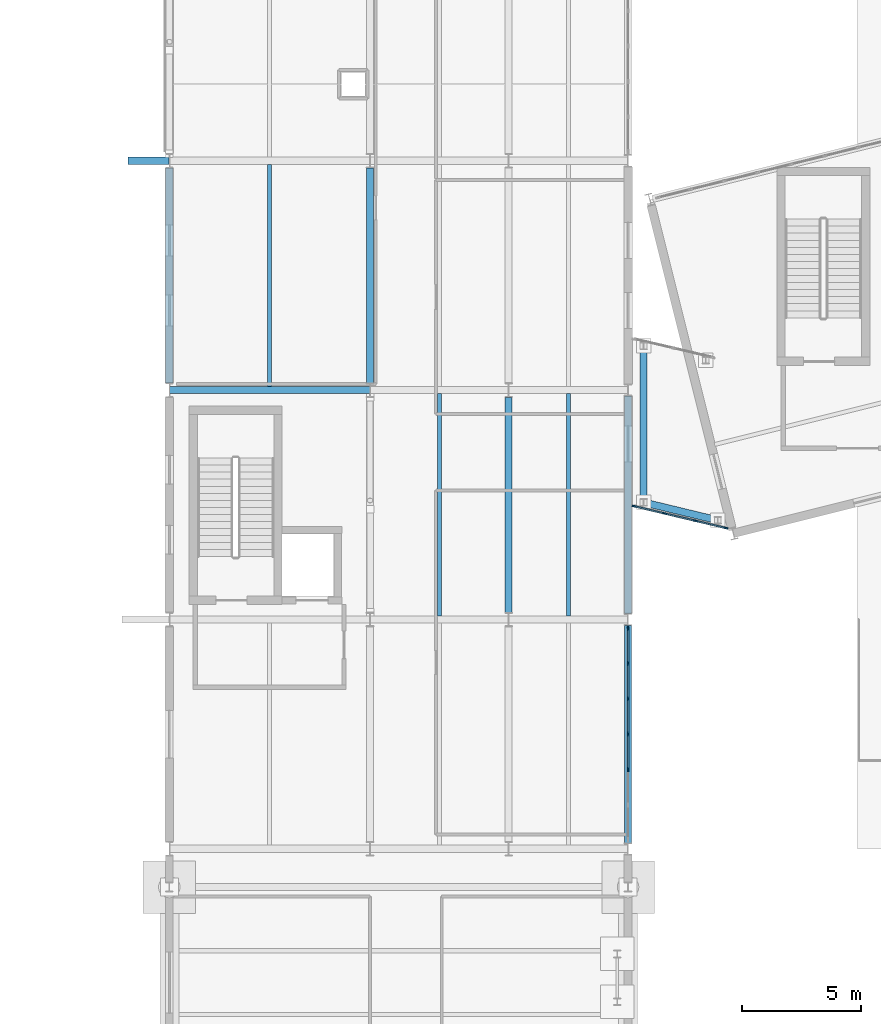
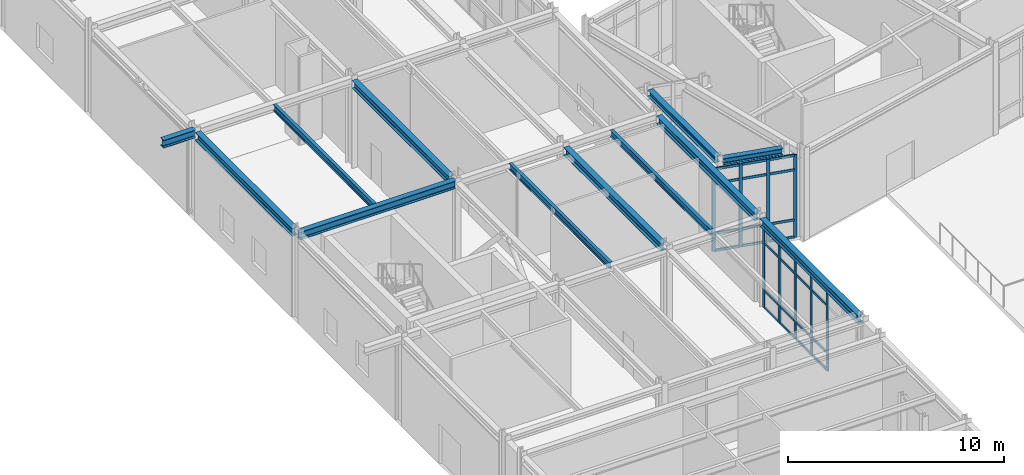
# One storey, part 23 of 109: 37 members, 12 beams, 2 elements without a shape of their own.
"""IFC4 building model written with IfcOpenShell, lengths in metres."""

import ifcopenshell
import ifcopenshell.guid

model = None  # the IFC model being written
_history = None  # IfcOwnerHistory: only IFC2X3 demands one
_inside = {}  # id of a spatial element -> (the spatial element, [elements in it])
_under = {}  # id of a project, library or spatial element -> (it, [spatial elements below it])
_declared = {}  # id of a project -> (the project, [libraries it declares])
_typed = {}  # id of a type object -> (the type object, [elements of that type])
_made_of = {}  # id of a material, layer set ... -> (it, [elements and type objects made of it])


def new_model(schema):
    """Start an empty IFC model of exactly this schema.

    Asked for "IFC4X3", IfcOpenShell would pick the latest addendum, in which some entities
    have other attributes; the version numbers below select the first issue.
    IFC2X3 requires an IfcOwnerHistory on every rooted entity: one is made here for all.
    """
    global model, _history
    if schema == "IFC4X3":
        model = ifcopenshell.file(schema_version=(4, 3, 0, 0))
    else:
        model = ifcopenshell.file(schema=schema)
    _inside.clear()
    _under.clear()
    _declared.clear()
    _typed.clear()
    _made_of.clear()
    _history = None
    if model.schema == "IFC2X3":
        org = make("IfcOrganization", Name="unknown")
        user = make(
            "IfcPersonAndOrganization",
            ThePerson=make("IfcPerson", FamilyName="unknown"),
            TheOrganization=org,
        )
        app = make(
            "IfcApplication",
            ApplicationDeveloper=org,
            Version="unknown",
            ApplicationFullName="unknown",
            ApplicationIdentifier="unknown",
        )
        _history = make(
            "IfcOwnerHistory",
            OwningUser=user,
            OwningApplication=app,
            ChangeAction="ADDED",
            CreationDate=0,
        )
    return model


def make(cls, **values):
    """One entity of the class cls with the attributes given. An attribute that is None is left unset."""
    return model.create_entity(
        cls, **{name: value for name, value in values.items() if value is not None}
    )


def rooted(cls, **values):
    """An entity with a GlobalId (a new one), such as an element, a storey or a relation."""
    return make(cls, GlobalId=ifcopenshell.guid.new(), OwnerHistory=_history, **values)


def si_unit(unit_type, name, prefix=None):
    """IfcSIUnit, for example si_unit("LENGTHUNIT", "METRE", prefix="MILLI")."""
    return make("IfcSIUnit", UnitType=unit_type, Prefix=prefix, Name=name)


def assignment(units):
    """IfcUnitAssignment: the units of a project."""
    return None if units is None else make("IfcUnitAssignment", Units=units)


def point(xyz):
    """IfcCartesianPoint."""
    return None if xyz is None else make("IfcCartesianPoint", Coordinates=xyz)


def direction(xyz):
    """IfcDirection."""
    return None if xyz is None else make("IfcDirection", DirectionRatios=xyz)


def frame(location, z_axis=None, x_axis=None):
    """IfcAxis2Placement3D, a coordinate frame: its origin and axes. An axis left out is left unset."""
    return make(
        "IfcAxis2Placement3D",
        Location=point(location),
        Axis=direction(z_axis),
        RefDirection=direction(x_axis),
    )


def frame_2d(location, x_axis=None):
    """IfcAxis2Placement2D, a coordinate frame in the plane: its origin and x axis."""
    return make(
        "IfcAxis2Placement2D", Location=point(location), RefDirection=direction(x_axis)
    )


def origin():
    """The frame at (0, 0, 0) with its axes left unset."""
    return frame((0.0, 0.0, 0.0))


def origin_2d():
    """The frame at (0, 0) in the plane with its x axis left unset."""
    return frame_2d((0.0, 0.0))


def place(relative_to, where):
    """IfcLocalPlacement: puts the frame where relative to a parent placement (None: the world)."""
    return make(
        "IfcLocalPlacement", PlacementRelTo=relative_to, RelativePlacement=where
    )


def context(
    kind, dimensions, precision=None, world=None, true_north=None, identifier=None
):
    """IfcGeometricRepresentationContext, for example the 3D "Model" context."""
    return make(
        "IfcGeometricRepresentationContext",
        ContextIdentifier=identifier,
        ContextType=kind,
        CoordinateSpaceDimension=dimensions,
        Precision=precision,
        WorldCoordinateSystem=world,
        TrueNorth=true_north,
    )


def subcontext(parent, identifier, kind, view, scale=None):
    """IfcGeometricRepresentationSubContext, for example "Body" below "Model"."""
    return make(
        "IfcGeometricRepresentationSubContext",
        ContextIdentifier=identifier,
        ContextType=kind,
        ParentContext=parent,
        TargetScale=scale,
        TargetView=view,
    )


def project(units=None, contexts=None):
    """IfcProject with its units and contexts."""
    return rooted(
        "IfcProject",
        Name="project",
        RepresentationContexts=contexts,
        UnitsInContext=assignment(units),
    )


def spatial(cls, under=None, at=None, **own):
    """A site, building, storey or space (cls), placed at a placement, below another one or the project."""
    s = rooted(cls, ObjectPlacement=at, **own)
    if under is not None:
        _under.setdefault(under.id(), (under, []))[1].append(s)
    return s


def profile(cls, at=None, kind="AREA", **sizes):
    """A parametric profile (cls). Its sizes go by their IFC names, for example OverallWidth=200.0."""
    return make(cls, ProfileType=kind, Position=at, **sizes)


def rectangle(**sizes):
    """IfcRectangleProfileDef."""
    return profile("IfcRectangleProfileDef", **sizes)


def i_section(**sizes):
    """IfcIShapeProfileDef."""
    return profile("IfcIShapeProfileDef", **sizes)


def extrude(swept, where, along, depth):
    """IfcExtrudedAreaSolid: the profile swept, set in the frame where, extruded along a direction by depth."""
    return make(
        "IfcExtrudedAreaSolid",
        SweptArea=swept,
        Position=where,
        ExtrudedDirection=direction(along),
        Depth=depth,
    )


def shape(context_of_items, identifier, shape_type, items):
    """IfcShapeRepresentation: the items that make up one representation, for example the "Body"."""
    return make(
        "IfcShapeRepresentation",
        ContextOfItems=context_of_items,
        RepresentationIdentifier=identifier,
        RepresentationType=shape_type,
        Items=items,
    )


def material(Name=None, Category=None):
    """IfcMaterial."""
    return make("IfcMaterial", Name=Name, Category=Category)


def layer(
    of_material, thickness, ventilated=None, Name=None, Category=None, Priority=None
):
    """IfcMaterialLayer: one layer of a wall or slab, of a material (None: an air gap)."""
    return make(
        "IfcMaterialLayer",
        Material=of_material,
        LayerThickness=thickness,
        IsVentilated=ventilated,
        Name=Name,
        Category=Category,
        Priority=Priority,
    )


def layer_set(layers, Name=None):
    """IfcMaterialLayerSet."""
    return make("IfcMaterialLayerSet", MaterialLayers=layers, LayerSetName=Name)


def material_profile(
    of_material, cross_section, Name=None, Category=None, Priority=None
):
    """IfcMaterialProfile: a cross section and its material."""
    return make(
        "IfcMaterialProfile",
        Name=Name,
        Material=of_material,
        Profile=cross_section,
        Priority=Priority,
        Category=Category,
    )


def profile_set(profiles, Name=None, composite=None):
    """IfcMaterialProfileSet."""
    return make(
        "IfcMaterialProfileSet",
        Name=Name,
        MaterialProfiles=profiles,
        CompositeProfile=composite,
    )


def made_of(thing, what):
    """Note that an element or type object is made of a material, layer set ...; save() writes the relation."""
    if what is not None:
        _made_of.setdefault(what.id(), (what, []))[1].append(thing)
    return thing


def type_object(cls, material=None, **own):
    """A type object (cls), such as IfcWallType, which elements share."""
    return made_of(rooted(cls, **own), material)


def element(
    cls,
    number,
    at=None,
    inside=None,
    cuts=None,
    type_object=None,
    material=None,
    context=None,
    identifier="Body",
    shape_type=None,
    held_by="IfcProductDefinitionShape",
    body=None,
    shapes=None,
    **own,
):
    """One element of the class cls, such as IfcWall. Its Tag is "e" and its number.

    at: its placement. inside: the storey or other place that contains it. cuts: it is an
    opening in that element (IfcRelVoidsElement). A single representation is given by context,
    identifier, shape_type and body (its items); several are given by shapes. held_by: the class
    of the entity that holds the representations. save() writes the other relations.
    """
    e = rooted(cls, Tag="e%d" % number, ObjectPlacement=at, **own)
    if body is not None:
        shapes = [shape(context, identifier, shape_type, body)]
    if shapes is not None:
        e.Representation = make(held_by, Representations=shapes)
    if inside is not None:
        _inside.setdefault(inside.id(), (inside, []))[1].append(e)
    if cuts is not None:
        rooted(
            "IfcRelVoidsElement", RelatingBuildingElement=cuts, RelatedOpeningElement=e
        )
    if type_object is not None:
        _typed.setdefault(type_object.id(), (type_object, []))[1].append(e)
    return made_of(e, material)


def aggregate(whole, parts):
    """IfcRelAggregates: a whole, such as a stair, and the parts it consists of."""
    return rooted("IfcRelAggregates", RelatingObject=whole, RelatedObjects=parts)


def save(model, path):
    """Write the relations noted so far, then the file.

    IfcRelAggregates (storeys below a building ...), IfcRelContainedInSpatialStructure (elements
    in a storey), IfcRelDefinesByType, IfcRelAssociatesMaterial and IfcRelDeclares: one each for
    every whole, place, type object, material and project.
    """
    for whole, parts in _under.values():
        aggregate(whole, parts)
    for where, things in _inside.values():
        rooted(
            "IfcRelContainedInSpatialStructure",
            RelatedElements=things,
            RelatingStructure=where,
        )
    for kind, things in _typed.values():
        rooted("IfcRelDefinesByType", RelatedObjects=things, RelatingType=kind)
    for what, things in _made_of.values():
        rooted("IfcRelAssociatesMaterial", RelatedObjects=things, RelatingMaterial=what)
    for by, libraries in _declared.values():
        rooted("IfcRelDeclares", RelatingContext=by, RelatedDefinitions=libraries)
    model.write(path)


model = new_model("IFC4")

# Units and contexts
model_context = context("Model", 3, precision=1e-05, world=origin(), true_north=direction((0.0, 1.0)))
body_context = subcontext(model_context, "Body", "Model", "MODEL_VIEW")
ifc_project = project(units=[si_unit("LENGTHUNIT", "METRE"), si_unit("AREAUNIT", "SQUARE_METRE"), si_unit("VOLUMEUNIT", "CUBIC_METRE"), si_unit("PLANEANGLEUNIT", "RADIAN"), si_unit("MASSUNIT", "GRAM", prefix="KILO")], contexts=[model_context])

# Site, building, storey
site_placement = place(None, origin())
site = spatial("IfcSite", under=ifc_project, at=site_placement, CompositionType="ELEMENT")
building_placement = place(site_placement, origin())
building = spatial("IfcBuilding", under=site, at=building_placement, Name="Nordkorset Police Headquarters", CompositionType="ELEMENT")
storey_placement = place(building_placement, origin())
storey = spatial("IfcBuildingStorey", under=building, at=storey_placement, Name="L00", CompositionType="ELEMENT", Elevation=0.0)

# Beams
ifc_material_1 = material(Name="Steel S355J2", Category="steel")
ifc_material_profile_1 = material_profile(ifc_material_1, i_section(OverallWidth=0.169921875, OverallDepth=0.360107421875, WebThickness=0.008056640625, FlangeThickness=0.0126953125, FilletRadius=0.01806640625, at=origin_2d()), Name="IPE 360")
ifc_profile_set_1 = profile_set([ifc_material_profile_1], Name="Steel S355J2")
beam_type_1 = type_object("IfcBeamType", Name="Beam_IPE_360", PredefinedType="BEAM", material=ifc_profile_set_1)
for number, where, z_axis, x_axis, name in (
    (1, (4.199951171875, 48.14990234375, 4.820068359375), (0.0, 1.0, 0.0), (-1.0, 0.0, 0.0), "Composite Floor Beam V3 L00 0-2-1"),
    (2, (11.300048828125, 38.550048828125, 4.820068359375), (0.0, 1.0, 0.0), (-1.0, 0.0, 0.0), "Composite Floor Beam V3 L00 1-1-1"),
    (3, (16.699951171875, 38.550048828125, 4.820068359375), (0.0, 1.0, 0.0), (-1.0, 0.0, 0.0), "Composite Floor Beam V3 L00 2-1-1"),
):
    element("IfcBeam", number, at=place(storey_placement, frame(where, z_axis=z_axis, x_axis=x_axis)), inside=storey, type_object=beam_type_1, Name=name, PredefinedType="BEAM", context=body_context, shape_type="SweptSolid", body=[
        extrude(i_section(OverallWidth=0.169921875, OverallDepth=0.360107421875, WebThickness=0.008056640625, FlangeThickness=0.0126953125, FilletRadius=0.01806640625, at=origin_2d()), origin(), (0.0, 0.0, 1.0), 9.300048828125),
    ])

# Curtain wall, members
ifc_material_2 = material(Name="Aluminium alloy AW-6060", Category="aluminium")
ifc_layer_1 = layer(ifc_material_2, 0.179931640625, Name="Aluminium alloy AW-6060")
ifc_layer_set_1 = layer_set([ifc_layer_1], Name="Aluminium alloy AW-6060")
curtain_wall_type_1 = type_object("IfcCurtainWallType", Name="CW_Unit_888x454", PredefinedType="USERDEFINED", material=ifc_layer_set_1)
curtain_wall_1_placement = place(storey_placement, origin())
curtain_wall_1 = element("IfcCurtainWall", 4, at=curtain_wall_1_placement, inside=storey, type_object=curtain_wall_type_1, Name="Unitised Curtain Wall L00 V3E-0", ObjectType="UNITISED CURTAIN WALL", PredefinedType="USERDEFINED")
ifc_material_3 = material(Name="Aluminium alloy AW-6060", Category="aluminium")
ifc_material_profile_2 = material_profile(ifc_material_3, rectangle(XDim=0.06494140625, YDim=0.179931640625, at=origin_2d()), Name="ALU MULL 65x180")
ifc_profile_set_2 = profile_set([ifc_material_profile_2], Name="Aluminium alloy AW-6060")
member_type_1 = type_object("IfcMemberType", Name="CW_Mullion_65x180", PredefinedType="MULLION", material=ifc_profile_set_2)
member_1_placement = place(storey_placement, frame((19.199951171875, 32.1201171875, 0.0), z_axis=(0.0, 0.0, 1.0), x_axis=(-1.0, 0.0, 0.0)))
member_1 = element("IfcMember", 5, at=member_1_placement, type_object=member_type_1, Name="CW-82 mullion 3", PredefinedType="MULLION", context=body_context, shape_type="SweptSolid", body=[
    extrude(rectangle(XDim=0.06494140625, YDim=0.179931640625, at=origin_2d()), origin(), (0.0, 0.0, 1.0), 4.5400390625),
])
member_2_placement = place(storey_placement, frame((19.199951171875, 33.60009765625, 0.0), z_axis=(0.0, 0.0, 1.0), x_axis=(-1.0, 0.0, 0.0)))
member_2 = element("IfcMember", 6, at=member_2_placement, type_object=member_type_1, Name="CW-82 mullion 4", PredefinedType="MULLION", context=body_context, shape_type="SweptSolid", body=[
    extrude(rectangle(XDim=0.06494140625, YDim=0.179931640625, at=origin_2d()), origin(), (0.0, 0.0, 1.0), 4.5400390625),
])
member_3_placement = place(storey_placement, frame((19.199951171875, 35.080078125, 0.0), z_axis=(0.0, 0.0, 1.0), x_axis=(-1.0, 0.0, 0.0)))
member_3 = element("IfcMember", 7, at=member_3_placement, type_object=member_type_1, Name="CW-82 mullion 5", PredefinedType="MULLION", context=body_context, shape_type="SweptSolid", body=[
    extrude(rectangle(XDim=0.06494140625, YDim=0.179931640625, at=origin_2d()), origin(), (0.0, 0.0, 1.0), 4.5400390625),
])
member_4_placement = place(storey_placement, frame((19.199951171875, 36.56005859375, 0.0), z_axis=(0.0, 0.0, 1.0), x_axis=(-1.0, 0.0, 0.0)))
member_4 = element("IfcMember", 8, at=member_4_placement, type_object=member_type_1, Name="CW-82 mullion 6", PredefinedType="MULLION", context=body_context, shape_type="SweptSolid", body=[
    extrude(rectangle(XDim=0.06494140625, YDim=0.179931640625, at=origin_2d()), origin(), (0.0, 0.0, 1.0), 4.5400390625),
])
member_5_placement = place(storey_placement, frame((19.199951171875, 38.007568359375, 0.0), z_axis=(0.0, 0.0, 1.0), x_axis=(-1.0, 0.0, 0.0)))
member_5 = element("IfcMember", 9, at=member_5_placement, type_object=member_type_1, Name="CW-82 mullion 7", PredefinedType="MULLION", context=body_context, shape_type="SweptSolid", body=[
    extrude(rectangle(XDim=0.06494140625, YDim=0.179931640625, at=origin_2d()), origin(), (0.0, 0.0, 1.0), 4.5400390625),
])

ifc_material_4 = material(Name="Aluminium alloy AW-6060", Category="aluminium")
ifc_layer_2 = layer(ifc_material_4, 0.179931640625, Name="Aluminium alloy AW-6060")
ifc_layer_set_2 = layer_set([ifc_layer_2], Name="Aluminium alloy AW-6060")
curtain_wall_type_2 = type_object("IfcCurtainWallType", Name="CW_Unit_401x468", PredefinedType="USERDEFINED", material=ifc_layer_set_2)
curtain_wall_2_placement = place(storey_placement, origin())
curtain_wall_2 = element("IfcCurtainWall", 10, at=curtain_wall_2_placement, inside=storey, type_object=curtain_wall_type_2, Name="Unitised Curtain Wall L00 BRGW-S", ObjectType="UNITISED CURTAIN WALL", PredefinedType="USERDEFINED")
member_6_placement = place(storey_placement, frame((19.456787109375, 43.140869140625, 0.0), z_axis=(0.0, 0.0, 1.0), x_axis=(0.231206329825, 0.972904739966, 0.0)))
member_6 = element("IfcMember", 11, at=member_6_placement, type_object=member_type_1, Name="CW-08 mullion 1", PredefinedType="MULLION", context=body_context, shape_type="SweptSolid", body=[
    extrude(rectangle(XDim=0.06494140625, YDim=0.179931640625, at=origin_2d()), origin(), (0.0, 0.0, 1.0), 4.68505859375),
])
member_7_placement = place(storey_placement, frame((20.72509765625, 42.83935546875, 0.0), z_axis=(0.0, 0.0, 1.0), x_axis=(0.231206329825, 0.972904739966, 0.0)))
member_7 = element("IfcMember", 12, at=member_7_placement, type_object=member_type_1, Name="CW-08 mullion 2", PredefinedType="MULLION", context=body_context, shape_type="SweptSolid", body=[
    extrude(rectangle(XDim=0.06494140625, YDim=0.179931640625, at=origin_2d()), origin(), (0.0, 0.0, 1.0), 4.68505859375),
])
member_8_placement = place(storey_placement, frame((22.02490234375, 42.530517578125, 0.0), z_axis=(0.0, 0.0, 1.0), x_axis=(0.231206329825, 0.972904739966, 0.0)))
member_8 = element("IfcMember", 13, at=member_8_placement, type_object=member_type_1, Name="CW-08 mullion 3", PredefinedType="MULLION", context=body_context, shape_type="SweptSolid", body=[
    extrude(rectangle(XDim=0.06494140625, YDim=0.179931640625, at=origin_2d()), origin(), (0.0, 0.0, 1.0), 4.68505859375),
])
member_9_placement = place(storey_placement, frame((23.293212890625, 42.229248046875, 0.0), z_axis=(0.0, 0.0, 1.0), x_axis=(0.231206329825, 0.972904739966, 0.0)))
member_9 = element("IfcMember", 14, at=member_9_placement, type_object=member_type_1, Name="CW-08 mullion 4", PredefinedType="MULLION", context=body_context, shape_type="SweptSolid", body=[
    extrude(rectangle(XDim=0.06494140625, YDim=0.179931640625, at=origin_2d()), origin(), (0.0, 0.0, 1.0), 4.68505859375),
])

# Member
ifc_material_5 = material(Name="Aluminium alloy AW-6060", Category="aluminium")
ifc_material_profile_3 = material_profile(ifc_material_5, rectangle(XDim=0.06494140625, YDim=0.139892578125, at=origin_2d()), Name="ALU TRAN 65x140")
ifc_profile_set_3 = profile_set([ifc_material_profile_3], Name="Aluminium alloy AW-6060")
member_type_2 = type_object("IfcMemberType", Name="CW_Transom_65x140", PredefinedType="USERDEFINED", material=ifc_profile_set_3)
member_10_placement = place(storey_placement, frame((19.199951171875, 32.152587890625, 0.032470703125), z_axis=(0.0, 1.0, 0.0), x_axis=(-1.0, 0.0, 0.0)))
member_10 = element("IfcMember", 15, at=member_10_placement, type_object=member_type_2, Name="CW-82 transom 3.1", ObjectType="TRANSOM", PredefinedType="USERDEFINED", context=body_context, shape_type="SweptSolid", body=[
    extrude(rectangle(XDim=0.06494140625, YDim=0.139892578125, at=origin_2d()), origin(), (0.0, 0.0, 1.0), 1.414794921875),
])

member_11_placement = place(storey_placement, frame((19.199951171875, 32.152587890625, 1.0), z_axis=(0.0, 1.0, 0.0), x_axis=(-1.0, 0.0, 0.0)))
member_11 = element("IfcMember", 16, at=member_11_placement, type_object=member_type_2, Name="CW-82 transom 3.2", ObjectType="TRANSOM", PredefinedType="USERDEFINED", context=body_context, shape_type="SweptSolid", body=[
    extrude(rectangle(XDim=0.06494140625, YDim=0.139892578125, at=origin_2d()), origin(), (0.0, 0.0, 1.0), 1.414794921875),
])

member_12_placement = place(storey_placement, frame((19.199951171875, 32.152587890625, 3.68994140625), z_axis=(0.0, 1.0, 0.0), x_axis=(-1.0, 0.0, 0.0)))
member_12 = element("IfcMember", 17, at=member_12_placement, type_object=member_type_2, Name="CW-82 transom 3.3", ObjectType="TRANSOM", PredefinedType="USERDEFINED", context=body_context, shape_type="SweptSolid", body=[
    extrude(rectangle(XDim=0.06494140625, YDim=0.139892578125, at=origin_2d()), origin(), (0.0, 0.0, 1.0), 1.414794921875),
])

member_13_placement = place(storey_placement, frame((19.199951171875, 32.152587890625, 4.507568359375), z_axis=(0.0, 1.0, 0.0), x_axis=(-1.0, 0.0, 0.0)))
member_13 = element("IfcMember", 18, at=member_13_placement, type_object=member_type_2, Name="CW-82 transom 3.4", ObjectType="TRANSOM", PredefinedType="USERDEFINED", context=body_context, shape_type="SweptSolid", body=[
    extrude(rectangle(XDim=0.06494140625, YDim=0.139892578125, at=origin_2d()), origin(), (0.0, 0.0, 1.0), 1.414794921875),
])

member_14_placement = place(storey_placement, frame((19.199951171875, 33.632568359375, 0.032470703125), z_axis=(0.0, 1.0, 0.0), x_axis=(-1.0, 0.0, 0.0)))
member_14 = element("IfcMember", 19, at=member_14_placement, type_object=member_type_2, Name="CW-82 transom 4.1", ObjectType="TRANSOM", PredefinedType="USERDEFINED", context=body_context, shape_type="SweptSolid", body=[
    extrude(rectangle(XDim=0.06494140625, YDim=0.139892578125, at=origin_2d()), origin(), (0.0, 0.0, 1.0), 1.4150390625),
])

member_15_placement = place(storey_placement, frame((19.199951171875, 33.632568359375, 1.0), z_axis=(0.0, 1.0, 0.0), x_axis=(-1.0, 0.0, 0.0)))
member_15 = element("IfcMember", 20, at=member_15_placement, type_object=member_type_2, Name="CW-82 transom 4.2", ObjectType="TRANSOM", PredefinedType="USERDEFINED", context=body_context, shape_type="SweptSolid", body=[
    extrude(rectangle(XDim=0.06494140625, YDim=0.139892578125, at=origin_2d()), origin(), (0.0, 0.0, 1.0), 1.4150390625),
])

member_16_placement = place(storey_placement, frame((19.199951171875, 33.632568359375, 3.68994140625), z_axis=(0.0, 1.0, 0.0), x_axis=(-1.0, 0.0, 0.0)))
member_16 = element("IfcMember", 21, at=member_16_placement, type_object=member_type_2, Name="CW-82 transom 4.3", ObjectType="TRANSOM", PredefinedType="USERDEFINED", context=body_context, shape_type="SweptSolid", body=[
    extrude(rectangle(XDim=0.06494140625, YDim=0.139892578125, at=origin_2d()), origin(), (0.0, 0.0, 1.0), 1.4150390625),
])

member_17_placement = place(storey_placement, frame((19.199951171875, 33.632568359375, 4.507568359375), z_axis=(0.0, 1.0, 0.0), x_axis=(-1.0, 0.0, 0.0)))
member_17 = element("IfcMember", 22, at=member_17_placement, type_object=member_type_2, Name="CW-82 transom 4.4", ObjectType="TRANSOM", PredefinedType="USERDEFINED", context=body_context, shape_type="SweptSolid", body=[
    extrude(rectangle(XDim=0.06494140625, YDim=0.139892578125, at=origin_2d()), origin(), (0.0, 0.0, 1.0), 1.4150390625),
])

member_18_placement = place(storey_placement, frame((19.199951171875, 35.112548828125, 0.032470703125), z_axis=(0.0, 1.0, 0.0), x_axis=(-1.0, 0.0, 0.0)))
member_18 = element("IfcMember", 23, at=member_18_placement, type_object=member_type_2, Name="CW-82 transom 5.1", ObjectType="TRANSOM", PredefinedType="USERDEFINED", context=body_context, shape_type="SweptSolid", body=[
    extrude(rectangle(XDim=0.06494140625, YDim=0.139892578125, at=origin_2d()), origin(), (0.0, 0.0, 1.0), 1.4150390625),
])

member_19_placement = place(storey_placement, frame((19.199951171875, 35.112548828125, 1.0), z_axis=(0.0, 1.0, 0.0), x_axis=(-1.0, 0.0, 0.0)))
member_19 = element("IfcMember", 24, at=member_19_placement, type_object=member_type_2, Name="CW-82 transom 5.2", ObjectType="TRANSOM", PredefinedType="USERDEFINED", context=body_context, shape_type="SweptSolid", body=[
    extrude(rectangle(XDim=0.06494140625, YDim=0.139892578125, at=origin_2d()), origin(), (0.0, 0.0, 1.0), 1.4150390625),
])

member_20_placement = place(storey_placement, frame((19.199951171875, 35.112548828125, 3.68994140625), z_axis=(0.0, 1.0, 0.0), x_axis=(-1.0, 0.0, 0.0)))
member_20 = element("IfcMember", 25, at=member_20_placement, type_object=member_type_2, Name="CW-82 transom 5.3", ObjectType="TRANSOM", PredefinedType="USERDEFINED", context=body_context, shape_type="SweptSolid", body=[
    extrude(rectangle(XDim=0.06494140625, YDim=0.139892578125, at=origin_2d()), origin(), (0.0, 0.0, 1.0), 1.4150390625),
])

member_21_placement = place(storey_placement, frame((19.199951171875, 35.112548828125, 4.507568359375), z_axis=(0.0, 1.0, 0.0), x_axis=(-1.0, 0.0, 0.0)))
member_21 = element("IfcMember", 26, at=member_21_placement, type_object=member_type_2, Name="CW-82 transom 5.4", ObjectType="TRANSOM", PredefinedType="USERDEFINED", context=body_context, shape_type="SweptSolid", body=[
    extrude(rectangle(XDim=0.06494140625, YDim=0.139892578125, at=origin_2d()), origin(), (0.0, 0.0, 1.0), 1.4150390625),
])

member_22_placement = place(storey_placement, frame((19.199951171875, 36.592529296875, 0.032470703125), z_axis=(0.0, 1.0, 0.0), x_axis=(-1.0, 0.0, 0.0)))
member_22 = element("IfcMember", 27, at=member_22_placement, type_object=member_type_2, Name="CW-82 transom 6.1", ObjectType="TRANSOM", PredefinedType="USERDEFINED", context=body_context, shape_type="SweptSolid", body=[
    extrude(rectangle(XDim=0.06494140625, YDim=0.139892578125, at=origin_2d()), origin(), (0.0, 0.0, 1.0), 1.382568359375),
])

member_23_placement = place(storey_placement, frame((19.199951171875, 36.592529296875, 1.0), z_axis=(0.0, 1.0, 0.0), x_axis=(-1.0, 0.0, 0.0)))
member_23 = element("IfcMember", 28, at=member_23_placement, type_object=member_type_2, Name="CW-82 transom 6.2", ObjectType="TRANSOM", PredefinedType="USERDEFINED", context=body_context, shape_type="SweptSolid", body=[
    extrude(rectangle(XDim=0.06494140625, YDim=0.139892578125, at=origin_2d()), origin(), (0.0, 0.0, 1.0), 1.382568359375),
])

member_24_placement = place(storey_placement, frame((19.199951171875, 36.592529296875, 3.68994140625), z_axis=(0.0, 1.0, 0.0), x_axis=(-1.0, 0.0, 0.0)))
member_24 = element("IfcMember", 29, at=member_24_placement, type_object=member_type_2, Name="CW-82 transom 6.3", ObjectType="TRANSOM", PredefinedType="USERDEFINED", context=body_context, shape_type="SweptSolid", body=[
    extrude(rectangle(XDim=0.06494140625, YDim=0.139892578125, at=origin_2d()), origin(), (0.0, 0.0, 1.0), 1.382568359375),
])

member_25_placement = place(storey_placement, frame((19.199951171875, 36.592529296875, 4.507568359375), z_axis=(0.0, 1.0, 0.0), x_axis=(-1.0, 0.0, 0.0)))
member_25 = element("IfcMember", 30, at=member_25_placement, type_object=member_type_2, Name="CW-82 transom 6.4", ObjectType="TRANSOM", PredefinedType="USERDEFINED", context=body_context, shape_type="SweptSolid", body=[
    extrude(rectangle(XDim=0.06494140625, YDim=0.139892578125, at=origin_2d()), origin(), (0.0, 0.0, 1.0), 1.382568359375),
])

aggregate(curtain_wall_1, [member_1, member_2, member_3, member_4, member_5, member_10, member_11, member_12, member_13, member_14, member_15, member_16, member_17, member_18, member_19, member_20, member_21, member_22, member_23, member_24, member_25])

member_26_placement = place(storey_placement, frame((19.48828125, 43.13330078125, 0.032470703125), z_axis=(0.972905523066, -0.231203034554, 0.0), x_axis=(0.231203034554, 0.972905523066, 0.0)))
member_26 = element("IfcMember", 31, at=member_26_placement, type_object=member_type_2, Name="CW-08 transom 1.1", ObjectType="TRANSOM", PredefinedType="USERDEFINED", context=body_context, shape_type="SweptSolid", body=[
    extrude(rectangle(XDim=0.06494140625, YDim=0.139892578125, at=origin_2d()), origin(), (0.0, 0.0, 1.0), 1.238525390625),
])

member_27_placement = place(storey_placement, frame((19.48828125, 43.13330078125, 1.0), z_axis=(0.972905523066, -0.231203034554, 0.0), x_axis=(0.231203034554, 0.972905523066, 0.0)))
member_27 = element("IfcMember", 32, at=member_27_placement, type_object=member_type_2, Name="CW-08 transom 1.2", ObjectType="TRANSOM", PredefinedType="USERDEFINED", context=body_context, shape_type="SweptSolid", body=[
    extrude(rectangle(XDim=0.06494140625, YDim=0.139892578125, at=origin_2d()), origin(), (0.0, 0.0, 1.0), 1.238525390625),
])

member_28_placement = place(storey_placement, frame((19.48828125, 43.13330078125, 3.8349609375), z_axis=(0.972905523066, -0.231203034554, 0.0), x_axis=(0.231203034554, 0.972905523066, 0.0)))
member_28 = element("IfcMember", 33, at=member_28_placement, type_object=member_type_2, Name="CW-08 transom 1.3", ObjectType="TRANSOM", PredefinedType="USERDEFINED", context=body_context, shape_type="SweptSolid", body=[
    extrude(rectangle(XDim=0.06494140625, YDim=0.139892578125, at=origin_2d()), origin(), (0.0, 0.0, 1.0), 1.238525390625),
])

member_29_placement = place(storey_placement, frame((19.48828125, 43.13330078125, 4.652587890625), z_axis=(0.972905523066, -0.231203034554, 0.0), x_axis=(0.231203034554, 0.972905523066, 0.0)))
member_29 = element("IfcMember", 34, at=member_29_placement, type_object=member_type_2, Name="CW-08 transom 1.4", ObjectType="TRANSOM", PredefinedType="USERDEFINED", context=body_context, shape_type="SweptSolid", body=[
    extrude(rectangle(XDim=0.06494140625, YDim=0.139892578125, at=origin_2d()), origin(), (0.0, 0.0, 1.0), 1.238525390625),
])

member_30_placement = place(storey_placement, frame((20.756591796875, 42.83203125, 0.032470703125), z_axis=(0.972900919479, -0.231222405656, 0.0), x_axis=(0.231222405656, 0.972900919479, 0.0)))
member_30 = element("IfcMember", 35, at=member_30_placement, type_object=member_type_2, Name="CW-08 transom 2.1", ObjectType="TRANSOM", PredefinedType="USERDEFINED", context=body_context, shape_type="SweptSolid", body=[
    extrude(rectangle(XDim=0.06494140625, YDim=0.139892578125, at=origin_2d()), origin(), (0.0, 0.0, 1.0), 1.271240234375),
])

member_31_placement = place(storey_placement, frame((20.756591796875, 42.83203125, 1.0), z_axis=(0.972900919479, -0.231222405656, 0.0), x_axis=(0.231222405656, 0.972900919479, 0.0)))
member_31 = element("IfcMember", 36, at=member_31_placement, type_object=member_type_2, Name="CW-08 transom 2.2", ObjectType="TRANSOM", PredefinedType="USERDEFINED", context=body_context, shape_type="SweptSolid", body=[
    extrude(rectangle(XDim=0.06494140625, YDim=0.139892578125, at=origin_2d()), origin(), (0.0, 0.0, 1.0), 1.271240234375),
])

member_32_placement = place(storey_placement, frame((20.756591796875, 42.83203125, 3.8349609375), z_axis=(0.972900919479, -0.231222405656, 0.0), x_axis=(0.231222405656, 0.972900919479, 0.0)))
member_32 = element("IfcMember", 37, at=member_32_placement, type_object=member_type_2, Name="CW-08 transom 2.3", ObjectType="TRANSOM", PredefinedType="USERDEFINED", context=body_context, shape_type="SweptSolid", body=[
    extrude(rectangle(XDim=0.06494140625, YDim=0.139892578125, at=origin_2d()), origin(), (0.0, 0.0, 1.0), 1.271240234375),
])

member_33_placement = place(storey_placement, frame((20.756591796875, 42.83203125, 4.652587890625), z_axis=(0.972900919479, -0.231222405656, 0.0), x_axis=(0.231222405656, 0.972900919479, 0.0)))
member_33 = element("IfcMember", 38, at=member_33_placement, type_object=member_type_2, Name="CW-08 transom 2.4", ObjectType="TRANSOM", PredefinedType="USERDEFINED", context=body_context, shape_type="SweptSolid", body=[
    extrude(rectangle(XDim=0.06494140625, YDim=0.139892578125, at=origin_2d()), origin(), (0.0, 0.0, 1.0), 1.271240234375),
])

member_34_placement = place(storey_placement, frame((22.056640625, 42.52294921875, 0.032470703125), z_axis=(0.972905523066, -0.231203034554, 0.0), x_axis=(0.231203034554, 0.972905523066, 0.0)))
member_34 = element("IfcMember", 39, at=member_34_placement, type_object=member_type_2, Name="CW-08 transom 3.1", ObjectType="TRANSOM", PredefinedType="USERDEFINED", context=body_context, shape_type="SweptSolid", body=[
    extrude(rectangle(XDim=0.06494140625, YDim=0.139892578125, at=origin_2d()), origin(), (0.0, 0.0, 1.0), 1.238525390625),
])

member_35_placement = place(storey_placement, frame((22.056640625, 42.52294921875, 1.0), z_axis=(0.972905523066, -0.231203034554, 0.0), x_axis=(0.231203034554, 0.972905523066, 0.0)))
member_35 = element("IfcMember", 40, at=member_35_placement, type_object=member_type_2, Name="CW-08 transom 3.2", ObjectType="TRANSOM", PredefinedType="USERDEFINED", context=body_context, shape_type="SweptSolid", body=[
    extrude(rectangle(XDim=0.06494140625, YDim=0.139892578125, at=origin_2d()), origin(), (0.0, 0.0, 1.0), 1.238525390625),
])

member_36_placement = place(storey_placement, frame((22.056640625, 42.52294921875, 3.8349609375), z_axis=(0.972905523066, -0.231203034554, 0.0), x_axis=(0.231203034554, 0.972905523066, 0.0)))
member_36 = element("IfcMember", 41, at=member_36_placement, type_object=member_type_2, Name="CW-08 transom 3.3", ObjectType="TRANSOM", PredefinedType="USERDEFINED", context=body_context, shape_type="SweptSolid", body=[
    extrude(rectangle(XDim=0.06494140625, YDim=0.139892578125, at=origin_2d()), origin(), (0.0, 0.0, 1.0), 1.238525390625),
])

member_37_placement = place(storey_placement, frame((22.056640625, 42.52294921875, 4.652587890625), z_axis=(0.972905523066, -0.231203034554, 0.0), x_axis=(0.231203034554, 0.972905523066, 0.0)))
member_37 = element("IfcMember", 42, at=member_37_placement, type_object=member_type_2, Name="CW-08 transom 3.4", ObjectType="TRANSOM", PredefinedType="USERDEFINED", context=body_context, shape_type="SweptSolid", body=[
    extrude(rectangle(XDim=0.06494140625, YDim=0.139892578125, at=origin_2d()), origin(), (0.0, 0.0, 1.0), 1.238525390625),
])

aggregate(curtain_wall_2, [member_6, member_7, member_8, member_9, member_26, member_27, member_28, member_29, member_30, member_31, member_32, member_33, member_34, member_35, member_36, member_37])

# Beams
ifc_material_6 = material(Name="Steel S355J2", Category="steel")
ifc_material_profile_4 = material_profile(ifc_material_6, i_section(OverallWidth=0.300048828125, OverallDepth=0.35009765625, WebThickness=0.010009765625, FlangeThickness=0.017578125, FilletRadius=0.027099609375, at=origin_2d()), Name="HEA 360")
ifc_profile_set_4 = profile_set([ifc_material_profile_4], Name="Steel S355J2")
beam_type_2 = type_object("IfcBeamType", Name="Girder_HEA_360", PredefinedType="USERDEFINED", material=ifc_profile_set_4)
beam_1_placement = place(storey_placement, frame((19.995849609375, 43.2646484375, 4.8798828125), z_axis=(0.971958462556, -0.235152603781, 0.0), x_axis=(0.235152603781, 0.971958462556, 0.0)))
element("IfcBeam", 43, at=beam_1_placement, inside=storey, type_object=beam_type_2, Name="Courtyard Link Bridge Girder BRG-W L00 0", ObjectType="GIRDER", PredefinedType="USERDEFINED", context=body_context, shape_type="SweptSolid", body=[
    extrude(i_section(OverallWidth=0.300048828125, OverallDepth=0.35009765625, WebThickness=0.010009765625, FlangeThickness=0.017578125, FilletRadius=0.027099609375, at=origin_2d()), origin(), (0.0, 0.0, 1.0), 2.889404296875),
])
beam_2_placement = place(storey_placement, frame((19.85009765625, 43.449951171875, 4.8798828125), z_axis=(0.0, 1.0, 0.0), x_axis=(-1.0, 0.0, 0.0)))
element("IfcBeam", 44, at=beam_2_placement, inside=storey, type_object=beam_type_2, Name="Courtyard Link Bridge Transverse Beam BRG-W L00 0", ObjectType="GIRDER", PredefinedType="USERDEFINED", context=body_context, shape_type="SweptSolid", body=[
    extrude(i_section(OverallWidth=0.300048828125, OverallDepth=0.35009765625, WebThickness=0.010009765625, FlangeThickness=0.017578125, FilletRadius=0.027099609375, at=origin_2d()), origin(), (0.0, 0.0, 1.0), 6.25),
])
ifc_material_7 = material(Name="Steel S355J2", Category="steel")
ifc_material_profile_5 = material_profile(ifc_material_7, i_section(OverallWidth=0.300048828125, OverallDepth=0.43994140625, WebThickness=0.011474609375, FlangeThickness=0.02099609375, FilletRadius=0.027099609375, at=origin_2d()), Name="HEA 450")
ifc_profile_set_5 = profile_set([ifc_material_profile_5], Name="Steel S355J2")
beam_type_3 = type_object("IfcBeamType", Name="Girder_HEA_450", PredefinedType="USERDEFINED", material=ifc_profile_set_5)
beam_3_placement = place(storey_placement, frame((0.0078125, 48.0, 4.780029296875), z_axis=(1.0, 0.0, 0.0), x_axis=(0.0, 1.0, 0.0)))
element("IfcBeam", 45, at=beam_3_placement, inside=storey, type_object=beam_type_3, Name="Girder V3 L00 GX-2-0", ObjectType="GIRDER", PredefinedType="USERDEFINED", context=body_context, shape_type="SweptSolid", body=[
    extrude(i_section(OverallWidth=0.300048828125, OverallDepth=0.43994140625, WebThickness=0.011474609375, FlangeThickness=0.02099609375, FilletRadius=0.027099609375, at=origin_2d()), origin(), (0.0, 0.0, 1.0), 8.384521484375),
])
for number, where, z_axis, x_axis, name in (
    (46, (0.0, 48.300048828125, 4.780029296875), (0.0, 1.0, 0.0), (-1.0, 0.0, 0.0), "Girder V3 L00 GY-0-2"),
    (47, (8.39990234375, 48.300048828125, 4.780029296875), (0.0, 1.0, 0.0), (-1.0, 0.0, 0.0), "Girder V3 L00 GY-1-2"),
    (48, (14.199951171875, 38.699951171875, 4.780029296875), (0.0, 1.0, 0.0), (-1.0, 0.0, 0.0), "Girder V3 L00 GY-2-1"),
):
    element("IfcBeam", number, at=place(storey_placement, frame(where, z_axis=z_axis, x_axis=x_axis)), inside=storey, type_object=beam_type_3, Name=name, ObjectType="GIRDER", PredefinedType="USERDEFINED", context=body_context, shape_type="SweptSolid", body=[
        extrude(i_section(OverallWidth=0.300048828125, OverallDepth=0.43994140625, WebThickness=0.011474609375, FlangeThickness=0.02099609375, FilletRadius=0.027099609375, at=origin_2d()), origin(), (0.0, 0.0, 1.0), 9.0),
    ])
beam_4_placement = place(storey_placement, frame((19.199951171875, 29.050048828125, 4.780029296875), z_axis=(0.0, 1.0, 0.0), x_axis=(-1.0, 0.0, 0.0)))
element("IfcBeam", 49, at=beam_4_placement, inside=storey, type_object=beam_type_3, Name="Girder V3 L00 GY-3-0", ObjectType="GIRDER", PredefinedType="USERDEFINED", context=body_context, shape_type="SweptSolid", body=[
    extrude(i_section(OverallWidth=0.300048828125, OverallDepth=0.43994140625, WebThickness=0.011474609375, FlangeThickness=0.02099609375, FilletRadius=0.027099609375, at=origin_2d()), origin(), (0.0, 0.0, 1.0), 9.099853515625),
])
beam_5_placement = place(storey_placement, frame((19.199951171875, 38.64990234375, 4.780029296875), z_axis=(0.0, 1.0, 0.0), x_axis=(-1.0, 0.0, 0.0)))
element("IfcBeam", 50, at=beam_5_placement, inside=storey, type_object=beam_type_3, Name="Girder V3 L00 GY-3-1", ObjectType="GIRDER", PredefinedType="USERDEFINED", context=body_context, shape_type="SweptSolid", body=[
    extrude(i_section(OverallWidth=0.300048828125, OverallDepth=0.43994140625, WebThickness=0.011474609375, FlangeThickness=0.02099609375, FilletRadius=0.027099609375, at=origin_2d()), origin(), (0.0, 0.0, 1.0), 9.10009765625),
])
beam_6_placement = place(storey_placement, frame((-0.0078125, 57.60009765625, 4.780029296875), z_axis=(-1.0, 0.0, 0.0), x_axis=(0.0, -1.0, 0.0)))
element("IfcBeam", 51, at=beam_6_placement, inside=storey, type_object=beam_type_3, Name="Sawtooth Facade Outrigger V3 L00 57", ObjectType="GIRDER", PredefinedType="USERDEFINED", context=body_context, shape_type="SweptSolid", body=[
    extrude(i_section(OverallWidth=0.300048828125, OverallDepth=0.43994140625, WebThickness=0.011474609375, FlangeThickness=0.02099609375, FilletRadius=0.027099609375, at=origin_2d()), origin(), (0.0, 0.0, 1.0), 1.732177734375),
])

save(model, "model.ifc")
